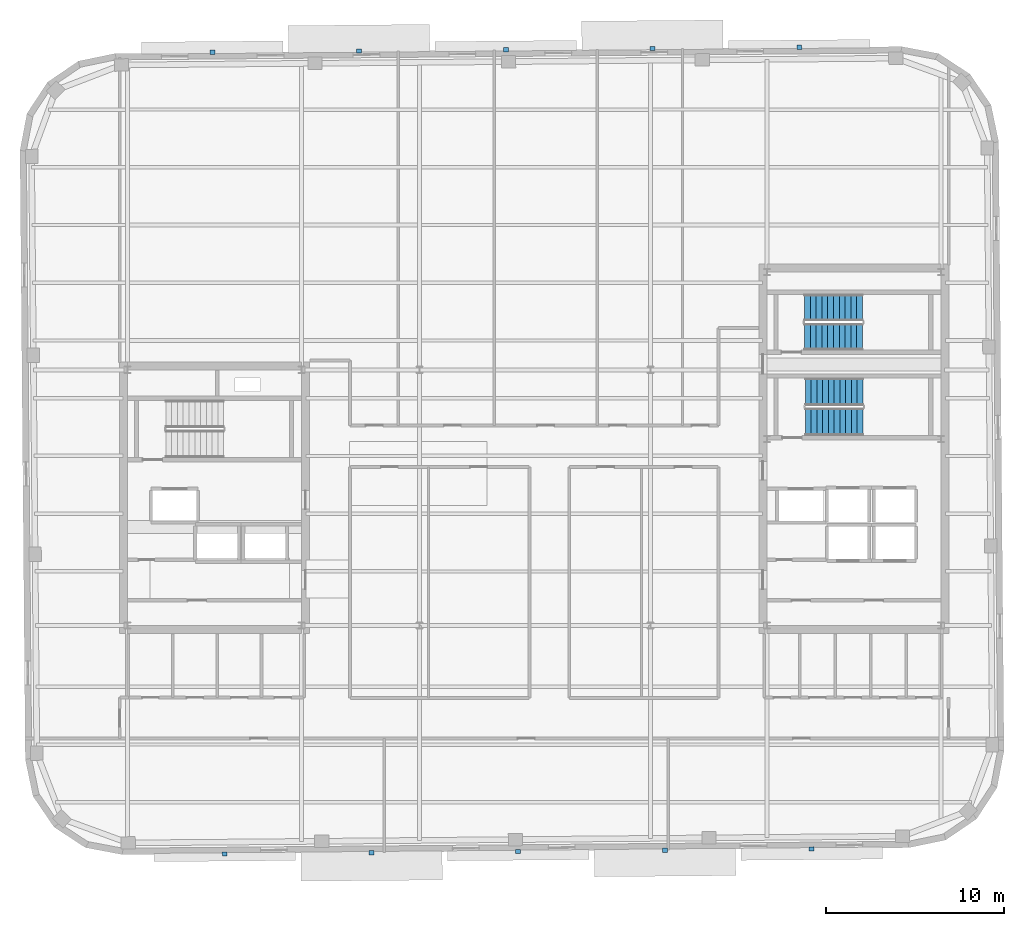
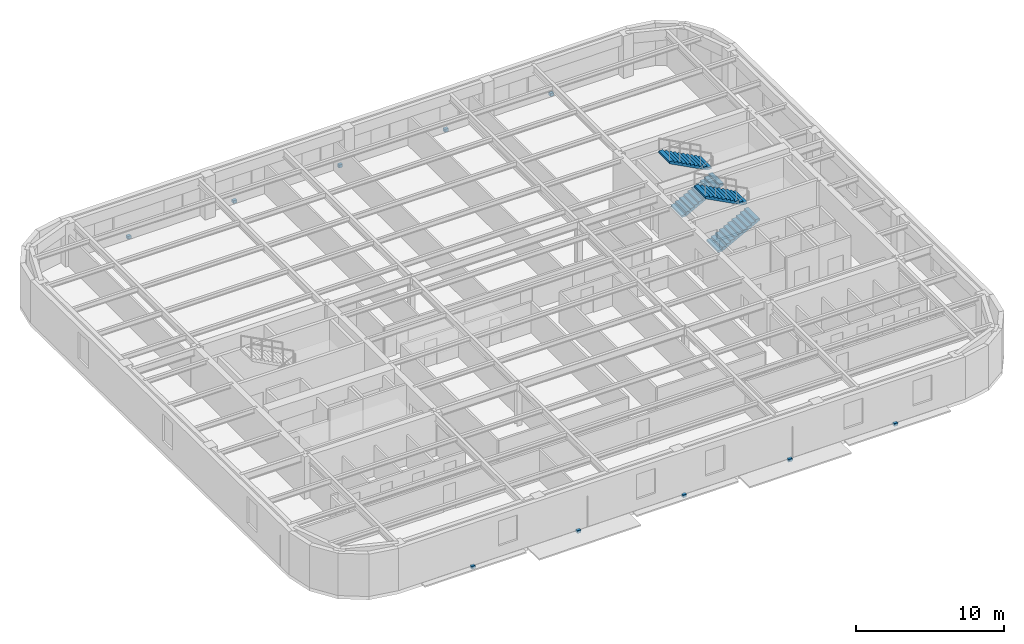
# One storey, part 10 of 13: 10 discrete accessories, 4 stair flights, 2 elements without a shape of their own.
"""IFC4 building model written with IfcOpenShell, lengths in metres."""

from ifc_helpers import new_model, si_unit, direction, frame, origin, origin_2d, place, context, subcontext, project, spatial, polyline, rectangle, outline, extrude, material, type_object, element, aggregate, save


model = new_model("IFC4")

# Units and contexts
model_context = context("Model", 3, precision=1e-05, world=origin(), true_north=direction((0.0, 1.0)))
body_context = subcontext(model_context, "Body", "Model", "MODEL_VIEW")
ifc_project = project(units=[si_unit("LENGTHUNIT", "METRE"), si_unit("AREAUNIT", "SQUARE_METRE"), si_unit("VOLUMEUNIT", "CUBIC_METRE"), si_unit("PLANEANGLEUNIT", "RADIAN"), si_unit("MASSUNIT", "GRAM", prefix="KILO")], contexts=[model_context])

# Site, building, storey
site_placement = place(None, origin())
site = spatial("IfcSite", under=ifc_project, at=site_placement, CompositionType="ELEMENT")
building_placement = place(site_placement, origin())
building = spatial("IfcBuilding", under=site, at=building_placement, Name="Kolvaren Arena Tower", CompositionType="ELEMENT")
storey_placement = place(building_placement, frame((0.0, 0.0, 301.14990234375)))
storey = spatial("IfcBuildingStorey", under=building, at=storey_placement, Name="L74", CompositionType="ELEMENT", Elevation=301.14990234375)

# Stair, stair flights
ifc_material_1 = material(Name="Concrete 45 MPa", Category="concrete")
stair_type_1 = type_object("IfcStairType", Name="STAIR-CORE-150", PredefinedType="HALF_TURN_STAIR", material=ifc_material_1)
stair_1_placement = place(storey_placement, origin())
stair_1 = element("IfcStair", 1, at=stair_1_placement, inside=storey, type_object=stair_type_1, Name="L74 ST-E2", PredefinedType="HALF_TURN_STAIR")
stair_flight_type_1 = type_object("IfcStairFlightType", Name="FLT-150", PredefinedType="STRAIGHT", material=ifc_material_1)
stair_flight_1_placement = place(storey_placement, frame((52.679931640625, 35.699951171875, 0.0), z_axis=(0.0, 0.0, 1.0), x_axis=(1.0, 0.0, 0.0)))
stair_flight_1 = element("IfcStairFlight", 2, at=stair_flight_1_placement, type_object=stair_flight_type_1, Name="ST-E2 flight 1", NumberOfRisers=11, NumberOfTreads=10, PredefinedType="STRAIGHT", RiserHeight=0.170454545, TreadLength=0.324, context=body_context, shape_type="SweptSolid", body=[
    extrude(outline(polyline([(0.0, 0.0), (0.0, 0.17041015625), (0.323974609375, 0.17041015625), (0.323974609375, 0.3408203125), (0.64794921875, 0.3408203125), (0.64794921875, 0.511474609375), (0.971923828125, 0.511474609375), (0.971923828125, 0.681884765625), (1.2958984375, 0.681884765625), (1.2958984375, 0.852294921875), (1.6201171875, 0.852294921875), (1.6201171875, 1.022705078125), (1.944091796875, 1.022705078125), (1.944091796875, 1.193115234375), (2.26806640625, 1.193115234375), (2.26806640625, 1.363525390625), (2.592041015625, 1.363525390625), (2.592041015625, 1.5341796875), (2.916015625, 1.5341796875), (2.916015625, 1.70458984375), (3.239990234375, 1.70458984375), (3.239990234375, 1.875), (3.239990234375, 1.53515625), (0.322021484375, 0.0), (0.0, 0.0)])), frame((0.0, 0.75, 0.0), z_axis=(0.0, -1.0, 0.0), x_axis=(1.0, 0.0, 0.0)), (0.0, 0.0, 1.0), 1.5),
])
stair_flight_2_placement = place(storey_placement, frame((55.919921875, 37.35009765625, 1.875), z_axis=(0.0, 0.0, 1.0), x_axis=(-1.0, 0.0, 0.0)))
stair_flight_2 = element("IfcStairFlight", 3, at=stair_flight_2_placement, type_object=stair_flight_type_1, Name="ST-E2 flight 2", NumberOfRisers=11, NumberOfTreads=10, PredefinedType="STRAIGHT", RiserHeight=0.170454545, TreadLength=0.324, context=body_context, shape_type="SweptSolid", body=[
    extrude(outline(polyline([(0.0, 0.0), (0.0, 0.17041015625), (0.323974609375, 0.17041015625), (0.323974609375, 0.3408203125), (0.64794921875, 0.3408203125), (0.64794921875, 0.511474609375), (0.971923828125, 0.511474609375), (0.971923828125, 0.681884765625), (1.2958984375, 0.681884765625), (1.2958984375, 0.852294921875), (1.6201171875, 0.852294921875), (1.6201171875, 1.022705078125), (1.944091796875, 1.022705078125), (1.944091796875, 1.193115234375), (2.26806640625, 1.193115234375), (2.26806640625, 1.363525390625), (2.592041015625, 1.363525390625), (2.592041015625, 1.5341796875), (2.916015625, 1.5341796875), (2.916015625, 1.70458984375), (3.239990234375, 1.70458984375), (3.239990234375, 1.875), (3.239990234375, 1.53515625), (0.322021484375, 0.0), (0.0, 0.0)])), frame((0.0, 0.75, 0.0), z_axis=(0.0, -1.0, 0.0), x_axis=(1.0, 0.0, 0.0)), (0.0, 0.0, 1.0), 1.5),
])
aggregate(stair_1, [stair_flight_1, stair_flight_2])

stair_type_2 = type_object("IfcStairType", Name="STAIR-CORE-165", PredefinedType="HALF_TURN_STAIR", material=ifc_material_1)
stair_2_placement = place(storey_placement, origin())
stair_2 = element("IfcStair", 4, at=stair_2_placement, inside=storey, type_object=stair_type_2, Name="L74 ST-E1", PredefinedType="HALF_TURN_STAIR")
stair_flight_type_2 = type_object("IfcStairFlightType", Name="FLT-165", PredefinedType="STRAIGHT", material=ifc_material_1)
stair_flight_3_placement = place(storey_placement, frame((52.719970703125, 30.919921875, 0.0), z_axis=(0.0, 0.0, 1.0), x_axis=(1.0, 0.0, 0.0)))
stair_flight_3 = element("IfcStairFlight", 5, at=stair_flight_3_placement, type_object=stair_flight_type_2, Name="ST-E1 flight 1", NumberOfRisers=11, NumberOfTreads=10, PredefinedType="STRAIGHT", RiserHeight=0.170454545, TreadLength=0.324, context=body_context, shape_type="SweptSolid", body=[
    extrude(outline(polyline([(0.0, 0.0), (0.0, 0.17041015625), (0.323974609375, 0.17041015625), (0.323974609375, 0.3408203125), (0.64794921875, 0.3408203125), (0.64794921875, 0.511474609375), (0.971923828125, 0.511474609375), (0.971923828125, 0.681884765625), (1.2958984375, 0.681884765625), (1.2958984375, 0.852294921875), (1.6201171875, 0.852294921875), (1.6201171875, 1.022705078125), (1.944091796875, 1.022705078125), (1.944091796875, 1.193115234375), (2.26806640625, 1.193115234375), (2.26806640625, 1.363525390625), (2.592041015625, 1.363525390625), (2.592041015625, 1.5341796875), (2.916015625, 1.5341796875), (2.916015625, 1.70458984375), (3.239990234375, 1.70458984375), (3.239990234375, 1.875), (3.239990234375, 1.53515625), (0.322021484375, 0.0), (0.0, 0.0)])), frame((0.0, 0.77001953125, 0.0), z_axis=(0.0, -1.0, 0.0), x_axis=(1.0, 0.0, 0.0)), (0.0, 0.0, 1.0), 1.5400390625),
])
stair_flight_4_placement = place(storey_placement, frame((55.9599609375, 32.610107421875, 1.875), z_axis=(0.0, 0.0, 1.0), x_axis=(-1.0, 0.0, 0.0)))
stair_flight_4 = element("IfcStairFlight", 6, at=stair_flight_4_placement, type_object=stair_flight_type_2, Name="ST-E1 flight 2", NumberOfRisers=11, NumberOfTreads=10, PredefinedType="STRAIGHT", RiserHeight=0.170454545, TreadLength=0.324, context=body_context, shape_type="SweptSolid", body=[
    extrude(outline(polyline([(0.0, 0.0), (0.0, 0.17041015625), (0.323974609375, 0.17041015625), (0.323974609375, 0.3408203125), (0.64794921875, 0.3408203125), (0.64794921875, 0.511474609375), (0.971923828125, 0.511474609375), (0.971923828125, 0.681884765625), (1.2958984375, 0.681884765625), (1.2958984375, 0.852294921875), (1.6201171875, 0.852294921875), (1.6201171875, 1.022705078125), (1.944091796875, 1.022705078125), (1.944091796875, 1.193115234375), (2.26806640625, 1.193115234375), (2.26806640625, 1.363525390625), (2.592041015625, 1.363525390625), (2.592041015625, 1.5341796875), (2.916015625, 1.5341796875), (2.916015625, 1.70458984375), (3.239990234375, 1.70458984375), (3.239990234375, 1.875), (3.239990234375, 1.53515625), (0.322021484375, 0.0), (0.0, 0.0)])), frame((0.0, 0.77001953125, 0.0), z_axis=(0.0, -1.0, 0.0), x_axis=(1.0, 0.0, 0.0)), (0.0, 0.0, 1.0), 1.5400390625),
])
aggregate(stair_2, [stair_flight_3, stair_flight_4])

# Discrete accessories
ifc_material_2 = material(Name="Stainless steel facade support bracket", Category="steel")
discrete_accessory_type = type_object("IfcDiscreteAccessoryType", Name="ACC-BRKT-1", PredefinedType="BRACKET", material=ifc_material_2)
for number, where, z_axis, x_axis, name in (
    (7, (19.333740234375, 51.7236328125, -0.1796875), (0.0, 0.0, 1.0), (0.999961923064, 0.008726535498, 0.0), "Sunshade Support Bracket (L74)"),
    (8, (27.593505859375, 51.795654296875, -0.1796875), (0.0, 0.0, 1.0), (0.999961923064, 0.008726535498, 0.0), "Sunshade Support Bracket (L74)"),
    (9, (35.85302734375, 51.867919921875, -0.1796875), (0.0, 0.0, 1.0), (0.999961923064, 0.008726535498, 0.0), "Sunshade Support Bracket (L74)"),
    (10, (44.11279296875, 51.93994140625, -0.1796875), (0.0, 0.0, 1.0), (0.999961923064, 0.008726535498, 0.0), "Sunshade Support Bracket (L74)"),
    (11, (52.372314453125, 52.011962890625, -0.1796875), (0.0, 0.0, 1.0), (0.999961923064, 0.008726535498, 0.0), "Sunshade Support Bracket (L74)"),
    (12, (53.06640625, 6.87646484375, -0.1796875), (0.0, 0.0, 1.0), (-0.999961923064, -0.008726535498, 0.0), "Sunshade Support Bracket (L74)"),
    (13, (44.806640625, 6.80419921875, -0.1796875), (0.0, 0.0, 1.0), (-0.999961923064, -0.008726535498, 0.0), "Sunshade Support Bracket (L74)"),
    (14, (36.546875, 6.732177734375, -0.1796875), (0.0, 0.0, 1.0), (-0.999961923064, -0.008726535498, 0.0), "Sunshade Support Bracket (L74)"),
    (15, (28.287109375, 6.66015625, -0.1796875), (0.0, 0.0, 1.0), (-0.999961923064, -0.008726535498, 0.0), "Sunshade Support Bracket (L74)"),
    (16, (20.027587890625, 6.587890625, -0.1796875), (0.0, 0.0, 1.0), (-0.999961923064, -0.008726535498, 0.0), "Sunshade Support Bracket (L74)"),
):
    element("IfcDiscreteAccessory", number, at=place(storey_placement, frame(where, z_axis=z_axis, x_axis=x_axis)), inside=storey, type_object=discrete_accessory_type, Name=name, PredefinedType="BRACKET", context=body_context, shape_type="SweptSolid", body=[
        extrude(rectangle(XDim=0.280029296875, YDim=0.239990234375, at=origin_2d()), origin(), (0.0, 0.0, 1.0), 0.239990234375),
    ])

save(model, "model.ifc")
